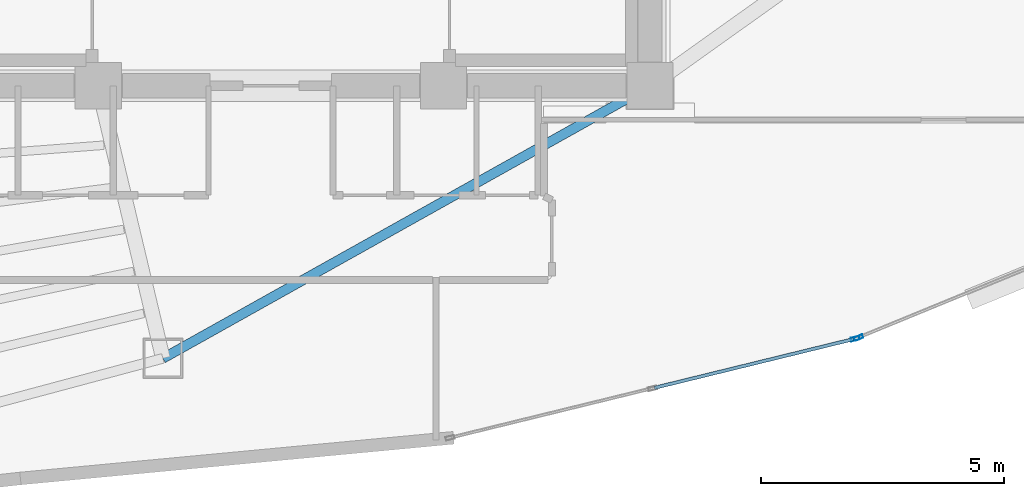
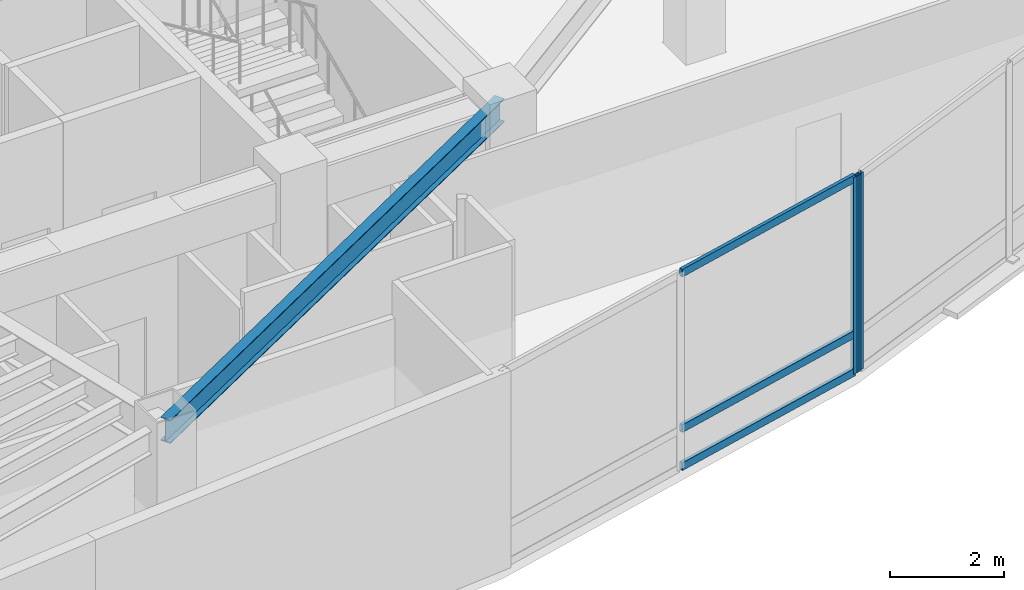
# One storey, part 5 of 17: 5 members, 1 beam, 2 elements without a shape of their own.
"""IFC4 building model written with IfcOpenShell, lengths in metres."""

from ifc_helpers import new_model, si_unit, direction, frame, origin, origin_2d, place, context, subcontext, project, spatial, hollow_rectangle, i_section, extrude, material, layer, layer_set, material_profile, profile_set, type_object, element, aggregate, save


model = new_model("IFC4")

# Units and contexts
model_context = context("Model", 3, precision=1e-05, world=origin(), true_north=direction((0.0, 1.0)))
body_context = subcontext(model_context, "Body", "Model", "MODEL_VIEW")
ifc_project = project(units=[si_unit("LENGTHUNIT", "METRE"), si_unit("AREAUNIT", "SQUARE_METRE"), si_unit("VOLUMEUNIT", "CUBIC_METRE"), si_unit("PLANEANGLEUNIT", "RADIAN"), si_unit("MASSUNIT", "GRAM", prefix="KILO")], contexts=[model_context])

# Site, building, storey
site_placement = place(None, origin())
site = spatial("IfcSite", under=ifc_project, at=site_placement, CompositionType="ELEMENT")
building_placement = place(site_placement, origin())
building = spatial("IfcBuilding", under=site, at=building_placement, Name="Menara Vayukalpa", CompositionType="ELEMENT")
storey_placement = place(building_placement, frame((0.0, 0.0, 238.139892578125)))
storey = spatial("IfcBuildingStorey", under=building, at=storey_placement, Name="L60", CompositionType="ELEMENT", Elevation=238.139892578125)

# Beam
ifc_material_1 = material(Name="Steel S355", Category="steel")
ifc_material_profile_1 = material_profile(ifc_material_1, i_section(OverallWidth=0.199951171875, OverallDepth=0.5, WebThickness=0.010009765625, FlangeThickness=0.01611328125, at=origin_2d()), Name="WF 500x200x10x16")
ifc_profile_set_1 = profile_set([ifc_material_profile_1], Name="Steel S355")
beam_type = type_object("IfcBeamType", Name="BM-SP3", PredefinedType="SPANDREL", material=ifc_profile_set_1)
beam_placement = place(storey_placement, frame((23.3818359375, 11.59521484375, 3.97021484375), z_axis=(0.87270577288, 0.48824648896, 0.0), x_axis=(-0.48824648896, 0.87270577288, 0.0)))
element("IfcBeam", 1, at=beam_placement, inside=storey, type_object=beam_type, Name="L60 Perimeter Spandrel Beam SP08", PredefinedType="SPANDREL", context=body_context, shape_type="SweptSolid", body=[
    extrude(i_section(OverallWidth=0.199951171875, OverallDepth=0.5, WebThickness=0.010009765625, FlangeThickness=0.01611328125, at=origin_2d()), origin(), (0.0, 0.0, 1.0), 11.479248046875),
])

# Curtain wall, member
ifc_material_2 = material(Name="Anodised Terracotta Aluminium Alloy 6063-T6", Category="masonry")
ifc_layer = layer(ifc_material_2, 0.179931640625)
ifc_layer_set = layer_set([ifc_layer], Name="Anodised Terracotta Aluminium Alloy 6063-T6")
curtain_wall_type = type_object("IfcCurtainWallType", Name="CW-CW4", PredefinedType="USERDEFINED", material=ifc_layer_set)
curtain_wall_1_placement = place(storey_placement, origin())
curtain_wall_1 = element("IfcCurtainWall", 2, at=curtain_wall_1_placement, inside=storey, type_object=curtain_wall_type, Name="L60 Sky Bar Cantilever Glazed Curtain Wall CW4 16", ObjectType="UNITISED", PredefinedType="USERDEFINED")
ifc_material_3 = material(Name="Anodised Terracotta Aluminium Alloy 6063-T6", Category="masonry")
ifc_material_profile_2 = material_profile(ifc_material_3, hollow_rectangle(XDim=0.074951171875, YDim=0.179931640625, WallThickness=0.00390625, at=origin_2d()), Name="ALU 75x180x4")
ifc_profile_set_2 = profile_set([ifc_material_profile_2], Name="Anodised Terracotta Aluminium Alloy 6063-T6")
member_type_1 = type_object("IfcMemberType", Name="CWM-CW4", PredefinedType="MULLION", material=ifc_profile_set_2)
member_1_placement = place(storey_placement, frame((37.61962890625, 11.9990234375, 0.0), z_axis=(0.0, 0.0, 1.0), x_axis=(-0.237809768652, 0.971311749097, 0.0)))
member_1 = element("IfcMember", 3, at=member_1_placement, type_object=member_type_1, Name="CW4 mullion 3", PredefinedType="MULLION", context=body_context, shape_type="SweptSolid", body=[
    extrude(hollow_rectangle(XDim=0.074951171875, YDim=0.179931640625, WallThickness=0.00390625, at=origin_2d()), origin(), (0.0, 0.0, 1.0), 4.22021484375),
])

curtain_wall_2_placement = place(storey_placement, origin())
curtain_wall_2 = element("IfcCurtainWall", 4, at=curtain_wall_2_placement, inside=storey, type_object=curtain_wall_type, Name="L60 Sky Bar Cantilever Glazed Curtain Wall CW4 17", ObjectType="UNITISED", PredefinedType="USERDEFINED")
member_2_placement = place(storey_placement, frame((37.690673828125, 12.022216796875, 0.0), z_axis=(0.0, 0.0, 1.0), x_axis=(-0.380039448491, 0.924970279301, 0.0)))
member_2 = element("IfcMember", 5, at=member_2_placement, type_object=member_type_1, Name="CW4 mullion 1", PredefinedType="MULLION", context=body_context, shape_type="SweptSolid", body=[
    extrude(hollow_rectangle(XDim=0.074951171875, YDim=0.179931640625, WallThickness=0.00390625, at=origin_2d()), origin(), (0.0, 0.0, 1.0), 4.22021484375),
])
aggregate(curtain_wall_2, [member_2])

# Member
ifc_material_4 = material(Name="Anodised Terracotta Aluminium Alloy 6063-T6", Category="masonry")
ifc_material_profile_3 = material_profile(ifc_material_4, hollow_rectangle(XDim=0.070068359375, YDim=0.1650390625, WallThickness=0.00390625, at=origin_2d()), Name="ALU 70x165x4")
ifc_profile_set_3 = profile_set([ifc_material_profile_3], Name="Anodised Terracotta Aluminium Alloy 6063-T6")
member_type_2 = type_object("IfcMemberType", Name="CWT-CW4", PredefinedType="USERDEFINED", material=ifc_profile_set_3)
member_3_placement = place(storey_placement, frame((33.48974609375, 10.988037109375, 0.03515625), z_axis=(0.971313425115, 0.237802923009, 0.0), x_axis=(-0.237802923009, 0.971313425115, 0.0)))
member_3 = element("IfcMember", 6, at=member_3_placement, type_object=member_type_2, Name="CW4 transom 2.1", ObjectType="TRANSOM", PredefinedType="USERDEFINED", context=body_context, shape_type="SweptSolid", body=[
    extrude(hollow_rectangle(XDim=0.070068359375, YDim=0.1650390625, WallThickness=0.00390625, at=origin_2d()), origin(), (0.0, 0.0, 1.0), 4.21435546875),
])

member_4_placement = place(storey_placement, frame((33.48974609375, 10.988037109375, 0.85009765625), z_axis=(0.971313425115, 0.237802923009, 0.0), x_axis=(-0.237802923009, 0.971313425115, 0.0)))
member_4 = element("IfcMember", 7, at=member_4_placement, type_object=member_type_2, Name="CW4 transom 2.2", ObjectType="TRANSOM", PredefinedType="USERDEFINED", context=body_context, shape_type="SweptSolid", body=[
    extrude(hollow_rectangle(XDim=0.070068359375, YDim=0.1650390625, WallThickness=0.00390625, at=origin_2d()), origin(), (0.0, 0.0, 1.0), 4.21435546875),
])

member_5_placement = place(storey_placement, frame((33.48974609375, 10.988037109375, 4.18505859375), z_axis=(0.971313425115, 0.237802923009, 0.0), x_axis=(-0.237802923009, 0.971313425115, 0.0)))
member_5 = element("IfcMember", 8, at=member_5_placement, type_object=member_type_2, Name="CW4 transom 2.3", ObjectType="TRANSOM", PredefinedType="USERDEFINED", context=body_context, shape_type="SweptSolid", body=[
    extrude(hollow_rectangle(XDim=0.070068359375, YDim=0.1650390625, WallThickness=0.00390625, at=origin_2d()), origin(), (0.0, 0.0, 1.0), 4.21435546875),
])

aggregate(curtain_wall_1, [member_1, member_3, member_4, member_5])

save(model, "model.ifc")
